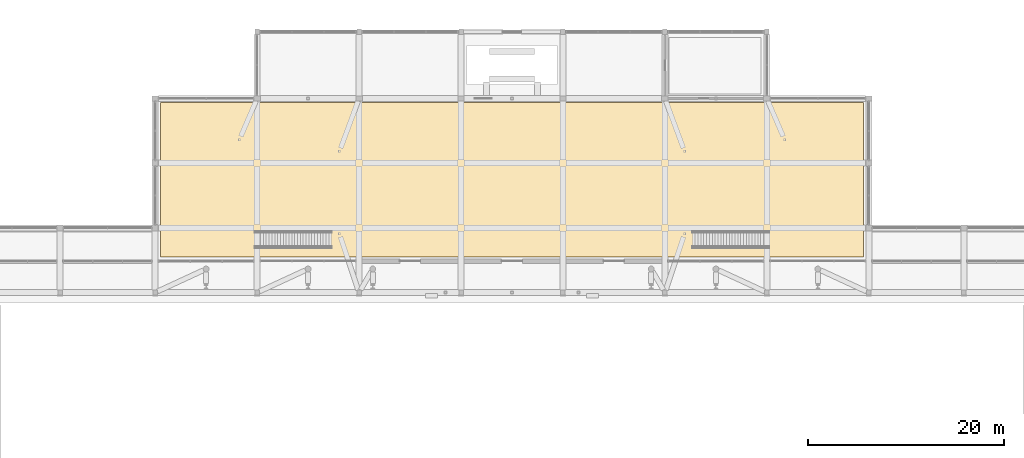
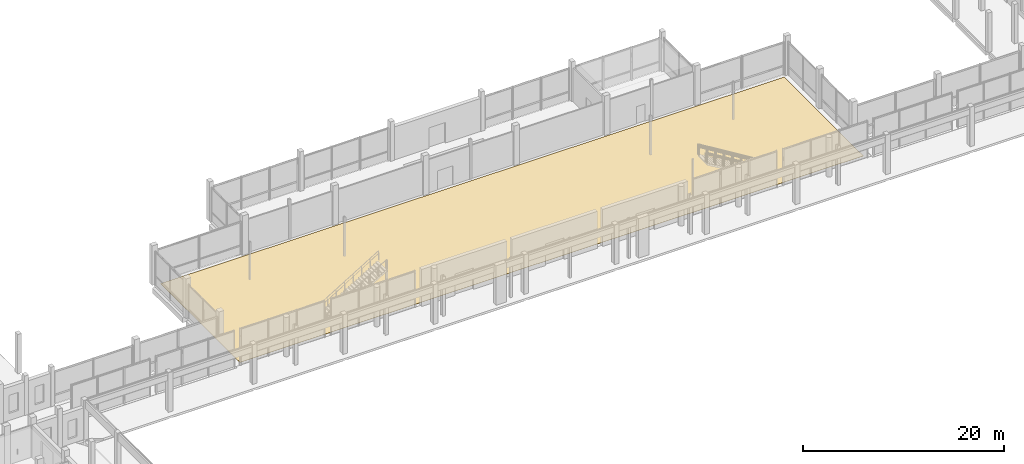
# One storey, part 81 of 88: 1 covering.
"""IFC4 building model written with IfcOpenShell, lengths in metres."""

import ifcopenshell
import ifcopenshell.guid

model = None  # the IFC model being written
_history = None  # IfcOwnerHistory: only IFC2X3 demands one
_inside = {}  # id of a spatial element -> (the spatial element, [elements in it])
_under = {}  # id of a project, library or spatial element -> (it, [spatial elements below it])
_declared = {}  # id of a project -> (the project, [libraries it declares])
_typed = {}  # id of a type object -> (the type object, [elements of that type])
_made_of = {}  # id of a material, layer set ... -> (it, [elements and type objects made of it])


def new_model(schema):
    """Start an empty IFC model of exactly this schema.

    Asked for "IFC4X3", IfcOpenShell would pick the latest addendum, in which some entities
    have other attributes; the version numbers below select the first issue.
    IFC2X3 requires an IfcOwnerHistory on every rooted entity: one is made here for all.
    """
    global model, _history
    if schema == "IFC4X3":
        model = ifcopenshell.file(schema_version=(4, 3, 0, 0))
    else:
        model = ifcopenshell.file(schema=schema)
    _inside.clear()
    _under.clear()
    _declared.clear()
    _typed.clear()
    _made_of.clear()
    _history = None
    if model.schema == "IFC2X3":
        org = make("IfcOrganization", Name="unknown")
        user = make(
            "IfcPersonAndOrganization",
            ThePerson=make("IfcPerson", FamilyName="unknown"),
            TheOrganization=org,
        )
        app = make(
            "IfcApplication",
            ApplicationDeveloper=org,
            Version="unknown",
            ApplicationFullName="unknown",
            ApplicationIdentifier="unknown",
        )
        _history = make(
            "IfcOwnerHistory",
            OwningUser=user,
            OwningApplication=app,
            ChangeAction="ADDED",
            CreationDate=0,
        )
    return model


def make(cls, **values):
    """One entity of the class cls with the attributes given. An attribute that is None is left unset."""
    return model.create_entity(
        cls, **{name: value for name, value in values.items() if value is not None}
    )


def rooted(cls, **values):
    """An entity with a GlobalId (a new one), such as an element, a storey or a relation."""
    return make(cls, GlobalId=ifcopenshell.guid.new(), OwnerHistory=_history, **values)


def si_unit(unit_type, name, prefix=None):
    """IfcSIUnit, for example si_unit("LENGTHUNIT", "METRE", prefix="MILLI")."""
    return make("IfcSIUnit", UnitType=unit_type, Prefix=prefix, Name=name)


def derived_unit(unit_type, elements):
    """IfcDerivedUnit: a product of units, each with its exponent."""
    return make(
        "IfcDerivedUnit",
        Elements=[
            make("IfcDerivedUnitElement", Unit=unit, Exponent=power)
            for unit, power in elements
        ],
        UnitType=unit_type,
    )


def assignment(units):
    """IfcUnitAssignment: the units of a project."""
    return None if units is None else make("IfcUnitAssignment", Units=units)


def point(xyz):
    """IfcCartesianPoint."""
    return None if xyz is None else make("IfcCartesianPoint", Coordinates=xyz)


def direction(xyz):
    """IfcDirection."""
    return None if xyz is None else make("IfcDirection", DirectionRatios=xyz)


def frame(location, z_axis=None, x_axis=None):
    """IfcAxis2Placement3D, a coordinate frame: its origin and axes. An axis left out is left unset."""
    return make(
        "IfcAxis2Placement3D",
        Location=point(location),
        Axis=direction(z_axis),
        RefDirection=direction(x_axis),
    )


def origin():
    """The frame at (0, 0, 0) with its axes left unset."""
    return frame((0.0, 0.0, 0.0))


def place(relative_to, where):
    """IfcLocalPlacement: puts the frame where relative to a parent placement (None: the world)."""
    return make(
        "IfcLocalPlacement", PlacementRelTo=relative_to, RelativePlacement=where
    )


def context(
    kind, dimensions, precision=None, world=None, true_north=None, identifier=None
):
    """IfcGeometricRepresentationContext, for example the 3D "Model" context."""
    return make(
        "IfcGeometricRepresentationContext",
        ContextIdentifier=identifier,
        ContextType=kind,
        CoordinateSpaceDimension=dimensions,
        Precision=precision,
        WorldCoordinateSystem=world,
        TrueNorth=true_north,
    )


def subcontext(parent, identifier, kind, view, scale=None):
    """IfcGeometricRepresentationSubContext, for example "Body" below "Model"."""
    return make(
        "IfcGeometricRepresentationSubContext",
        ContextIdentifier=identifier,
        ContextType=kind,
        ParentContext=parent,
        TargetScale=scale,
        TargetView=view,
    )


def project(units=None, contexts=None):
    """IfcProject with its units and contexts."""
    return rooted(
        "IfcProject",
        Name="project",
        RepresentationContexts=contexts,
        UnitsInContext=assignment(units),
    )


def spatial(cls, under=None, at=None, **own):
    """A site, building, storey or space (cls), placed at a placement, below another one or the project."""
    s = rooted(cls, ObjectPlacement=at, **own)
    if under is not None:
        _under.setdefault(under.id(), (under, []))[1].append(s)
    return s


def polyline(points):
    """IfcPolyline through the points."""
    return make("IfcPolyline", Points=[point(p) for p in points])


def outline(outer, holes=None, kind="AREA"):
    """IfcArbitraryClosedProfileDef: a profile drawn as a closed curve; with holes, ...WithVoids."""
    if holes is None:
        return make("IfcArbitraryClosedProfileDef", ProfileType=kind, OuterCurve=outer)
    return make(
        "IfcArbitraryProfileDefWithVoids",
        ProfileType=kind,
        OuterCurve=outer,
        InnerCurves=holes,
    )


def extrude(swept, where, along, depth):
    """IfcExtrudedAreaSolid: the profile swept, set in the frame where, extruded along a direction by depth."""
    return make(
        "IfcExtrudedAreaSolid",
        SweptArea=swept,
        Position=where,
        ExtrudedDirection=direction(along),
        Depth=depth,
    )


def shape(context_of_items, identifier, shape_type, items):
    """IfcShapeRepresentation: the items that make up one representation, for example the "Body"."""
    return make(
        "IfcShapeRepresentation",
        ContextOfItems=context_of_items,
        RepresentationIdentifier=identifier,
        RepresentationType=shape_type,
        Items=items,
    )


def material(Name=None, Category=None):
    """IfcMaterial."""
    return make("IfcMaterial", Name=Name, Category=Category)


def layer(
    of_material, thickness, ventilated=None, Name=None, Category=None, Priority=None
):
    """IfcMaterialLayer: one layer of a wall or slab, of a material (None: an air gap)."""
    return make(
        "IfcMaterialLayer",
        Material=of_material,
        LayerThickness=thickness,
        IsVentilated=ventilated,
        Name=Name,
        Category=Category,
        Priority=Priority,
    )


def layer_set(layers, Name=None):
    """IfcMaterialLayerSet."""
    return make("IfcMaterialLayerSet", MaterialLayers=layers, LayerSetName=Name)


def made_of(thing, what):
    """Note that an element or type object is made of a material, layer set ...; save() writes the relation."""
    if what is not None:
        _made_of.setdefault(what.id(), (what, []))[1].append(thing)
    return thing


def type_object(cls, material=None, **own):
    """A type object (cls), such as IfcWallType, which elements share."""
    return made_of(rooted(cls, **own), material)


def element(
    cls,
    number,
    at=None,
    inside=None,
    cuts=None,
    type_object=None,
    material=None,
    context=None,
    identifier="Body",
    shape_type=None,
    held_by="IfcProductDefinitionShape",
    body=None,
    shapes=None,
    **own,
):
    """One element of the class cls, such as IfcWall. Its Tag is "e" and its number.

    at: its placement. inside: the storey or other place that contains it. cuts: it is an
    opening in that element (IfcRelVoidsElement). A single representation is given by context,
    identifier, shape_type and body (its items); several are given by shapes. held_by: the class
    of the entity that holds the representations. save() writes the other relations.
    """
    e = rooted(cls, Tag="e%d" % number, ObjectPlacement=at, **own)
    if body is not None:
        shapes = [shape(context, identifier, shape_type, body)]
    if shapes is not None:
        e.Representation = make(held_by, Representations=shapes)
    if inside is not None:
        _inside.setdefault(inside.id(), (inside, []))[1].append(e)
    if cuts is not None:
        rooted(
            "IfcRelVoidsElement", RelatingBuildingElement=cuts, RelatedOpeningElement=e
        )
    if type_object is not None:
        _typed.setdefault(type_object.id(), (type_object, []))[1].append(e)
    return made_of(e, material)


def aggregate(whole, parts):
    """IfcRelAggregates: a whole, such as a stair, and the parts it consists of."""
    return rooted("IfcRelAggregates", RelatingObject=whole, RelatedObjects=parts)


def save(model, path):
    """Write the relations noted so far, then the file.

    IfcRelAggregates (storeys below a building ...), IfcRelContainedInSpatialStructure (elements
    in a storey), IfcRelDefinesByType, IfcRelAssociatesMaterial and IfcRelDeclares: one each for
    every whole, place, type object, material and project.
    """
    for whole, parts in _under.values():
        aggregate(whole, parts)
    for where, things in _inside.values():
        rooted(
            "IfcRelContainedInSpatialStructure",
            RelatedElements=things,
            RelatingStructure=where,
        )
    for kind, things in _typed.values():
        rooted("IfcRelDefinesByType", RelatedObjects=things, RelatingType=kind)
    for what, things in _made_of.values():
        rooted("IfcRelAssociatesMaterial", RelatedObjects=things, RelatingMaterial=what)
    for by, libraries in _declared.values():
        rooted("IfcRelDeclares", RelatingContext=by, RelatedDefinitions=libraries)
    model.write(path)


model = new_model("IFC4")

# Units and contexts
model_context = context("Model", 3, precision=1e-05, world=origin(), true_north=direction((0.0, 1.0)))
body_context = subcontext(model_context, "Body", "Model", "MODEL_VIEW")
ifc_project = project(units=[si_unit("LENGTHUNIT", "METRE"), si_unit("AREAUNIT", "SQUARE_METRE"), si_unit("VOLUMEUNIT", "CUBIC_METRE"), si_unit("PLANEANGLEUNIT", "RADIAN"), si_unit("MASSUNIT", "GRAM", prefix="KILO"), derived_unit("THERMALTRANSMITTANCEUNIT", [(si_unit("POWERUNIT", "WATT"), 1), (si_unit("LENGTHUNIT", "METRE"), -2), (si_unit("THERMODYNAMICTEMPERATUREUNIT", "KELVIN"), -1)])], contexts=[model_context])

# Site, building, storey
site_placement = place(None, origin())
site = spatial("IfcSite", under=ifc_project, at=site_placement, CompositionType="ELEMENT")
building_placement = place(site_placement, origin())
building = spatial("IfcBuilding", under=site, at=building_placement, Name="Braskholm Square Health Centre", CompositionType="ELEMENT")
storey_placement = place(building_placement, origin())
storey = spatial("IfcBuildingStorey", under=building, at=storey_placement, Name="L01", CompositionType="ELEMENT", Elevation=0.0)

# Covering
ifc_material = material(Name="Polished geometric terrazzo flooring", Category="masonry")
ifc_layer = layer(ifc_material, 0.02001953125)
ifc_layer_set = layer_set([ifc_layer], Name="Polished geometric terrazzo flooring")
covering_type = type_object("IfcCoveringType", Name="PolishedTerrazzoFloorFinish", PredefinedType="FLOORING", material=ifc_layer_set)
covering_placement = place(storey_placement, origin())
element("IfcCovering", 1, at=covering_placement, inside=storey, type_object=covering_type, Name="Polished terrazzo floor L01-292", PredefinedType="FLOORING", context=body_context, shape_type="SweptSolid", body=[
    extrude(outline(polyline([(48.14990234375, 90.800048828125), (119.85009765625, 90.800048828125), (119.85009765625, 106.60009765625), (48.14990234375, 106.60009765625), (48.14990234375, 90.800048828125)])), origin(), (0.0, 0.0, 1.0), 0.02001953125),
])

save(model, "model.ifc")
